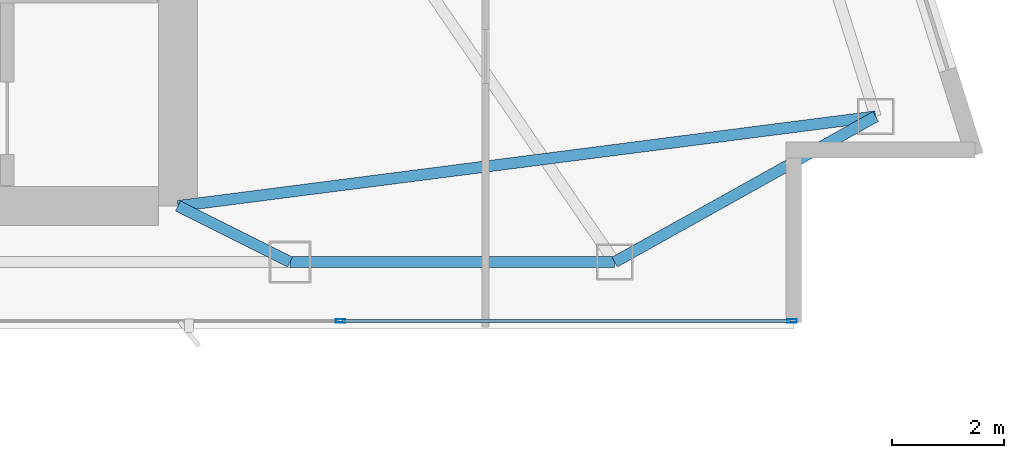
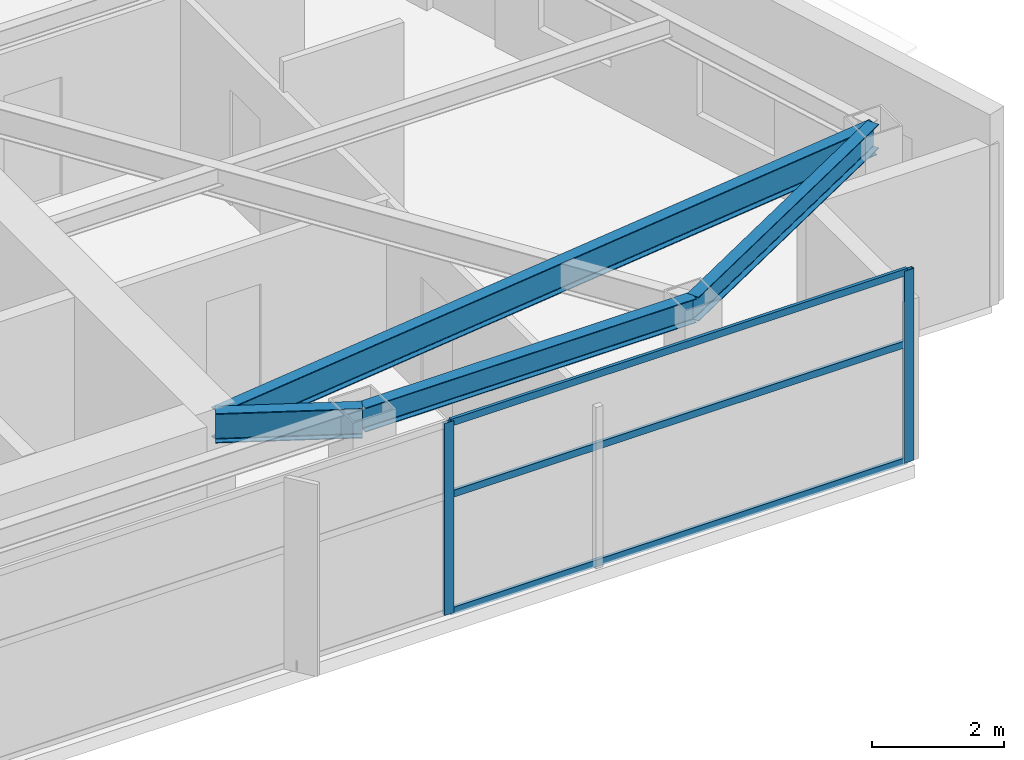
# One storey, part 14 of 29: 5 members, 4 beams, 1 element without a shape of its own.
"""IFC4 building model written with IfcOpenShell, lengths in metres."""

from ifc_helpers import new_model, si_unit, direction, frame, origin, origin_2d, place, context, subcontext, project, spatial, hollow_rectangle, i_section, extrude, material, layer, layer_set, material_profile, profile_set, type_object, element, aggregate, save


model = new_model("IFC4")

# Units and contexts
model_context = context("Model", 3, precision=1e-05, world=origin(), true_north=direction((0.0, 1.0)))
body_context = subcontext(model_context, "Body", "Model", "MODEL_VIEW")
ifc_project = project(units=[si_unit("LENGTHUNIT", "METRE"), si_unit("AREAUNIT", "SQUARE_METRE"), si_unit("VOLUMEUNIT", "CUBIC_METRE"), si_unit("PLANEANGLEUNIT", "RADIAN"), si_unit("MASSUNIT", "GRAM", prefix="KILO")], contexts=[model_context])

# Site, building, storey
site_placement = place(None, origin())
site = spatial("IfcSite", under=ifc_project, at=site_placement, CompositionType="ELEMENT")
building_placement = place(site_placement, origin())
building = spatial("IfcBuilding", under=site, at=building_placement, Name="Calvorn Quay Hotel", CompositionType="ELEMENT")
storey_placement = place(building_placement, frame((0.0, 0.0, 251.39990234375)))
storey = spatial("IfcBuildingStorey", under=building, at=storey_placement, Name="L62", CompositionType="ELEMENT", Elevation=251.39990234375)

# Beams
ifc_material_1 = material(Name="Steel Q355B", Category="steel")
ifc_material_profile_1 = material_profile(ifc_material_1, i_section(OverallWidth=0.199951171875, OverallDepth=0.550048828125, WebThickness=0.010009765625, FlangeThickness=0.01611328125, FilletRadius=0.01806640625, at=origin_2d()), Name="HN550x200x10x16")
ifc_profile_set_1 = profile_set([ifc_material_profile_1], Name="Steel Q355B")
beam_type_1 = type_object("IfcBeamType", Name="BM-GIRD-UPP", PredefinedType="BEAM", material=ifc_profile_set_1)
beam_1_placement = place(storey_placement, frame((34.39990234375, 3.60009765625, 3.26513671875), z_axis=(-0.894427191, 0.4472135955, 0.0), x_axis=(-0.4472135955, -0.894427191, 0.0)))
element("IfcBeam", 1, at=beam_1_placement, inside=storey, type_object=beam_type_1, Name="Beam BG-L62-S3", PredefinedType="BEAM", context=body_context, shape_type="SweptSolid", body=[
    extrude(i_section(OverallWidth=0.199951171875, OverallDepth=0.550048828125, WebThickness=0.010009765625, FlangeThickness=0.01611328125, FilletRadius=0.01806640625, at=origin_2d()), origin(), (0.0, 0.0, 1.0), 2.236083984375),
])
beam_2_placement = place(storey_placement, frame((32.39990234375, 4.60009765625, 3.26513671875), z_axis=(0.991858897847, 0.12734177147, 0.0), x_axis=(-0.12734177147, 0.991858897847, 0.0)))
element("IfcBeam", 2, at=beam_2_placement, inside=storey, type_object=beam_type_1, Name="Beam BG-L62-E1", PredefinedType="BEAM", context=body_context, shape_type="SweptSolid", body=[
    extrude(i_section(OverallWidth=0.199951171875, OverallDepth=0.550048828125, WebThickness=0.010009765625, FlangeThickness=0.01611328125, FilletRadius=0.01806640625, at=origin_2d()), origin(), (0.0, 0.0, 1.0), 12.5634765625),
])
ifc_material_2 = material(Name="Steel Q355B", Category="steel")
ifc_material_profile_2 = material_profile(ifc_material_2, i_section(OverallWidth=0.199951171875, OverallDepth=0.449951171875, WebThickness=0.009033203125, FlangeThickness=0.013916015625, FilletRadius=0.01611328125, at=origin_2d()), Name="HN450x200x9x14")
ifc_profile_set_2 = profile_set([ifc_material_profile_2], Name="Steel Q355B")
beam_type_2 = type_object("IfcBeamType", Name="BM-SPANDREL-Z3", PredefinedType="SPANDREL", material=ifc_profile_set_2)
beam_3_placement = place(storey_placement, frame((34.39990234375, 3.60009765625, 3.315185546875), z_axis=(1.0, 0.0, 0.0), x_axis=(0.0, 1.0, 0.0)))
element("IfcBeam", 3, at=beam_3_placement, inside=storey, type_object=beam_type_2, Name="Beam BSP-L62-S4", PredefinedType="SPANDREL", context=body_context, shape_type="SweptSolid", body=[
    extrude(i_section(OverallWidth=0.199951171875, OverallDepth=0.449951171875, WebThickness=0.009033203125, FlangeThickness=0.013916015625, FilletRadius=0.01611328125, at=origin_2d()), origin(), (0.0, 0.0, 1.0), 5.800048828125),
])
beam_4_placement = place(storey_placement, frame((40.199951171875, 3.60009765625, 3.315185546875), z_axis=(0.873333936204, 0.487121992805, 0.0), x_axis=(-0.487121992805, 0.873333936204, 0.0)))
element("IfcBeam", 4, at=beam_4_placement, inside=storey, type_object=beam_type_2, Name="Beam BSP-L62-S5", PredefinedType="SPANDREL", context=body_context, shape_type="SweptSolid", body=[
    extrude(i_section(OverallWidth=0.199951171875, OverallDepth=0.449951171875, WebThickness=0.009033203125, FlangeThickness=0.013916015625, FilletRadius=0.01611328125, at=origin_2d()), origin(), (0.0, 0.0, 1.0), 5.337158203125),
])

# Curtain wall, members
ifc_material_3 = material(Name="Champagne Bronze Anodised Aluminium and Low-E Glass", Category="aluminium")
ifc_layer = layer(ifc_material_3, 0.219970703125)
ifc_layer_set = layer_set([ifc_layer], Name="CW-SYS-Z4")
curtain_wall_type = type_object("IfcCurtainWallType", Name="CW-SYS-Z4", PredefinedType="NOTDEFINED", material=ifc_layer_set)
curtain_wall_placement = place(storey_placement, origin())
curtain_wall = element("IfcCurtainWall", 5, at=curtain_wall_placement, inside=storey, type_object=curtain_wall_type, Name="Tower South Waterfront Curtain Wall (L62)", PredefinedType="NOTDEFINED")
ifc_material_4 = material(Name="Champagne Bronze Anodised Aluminium 6063-T6", Category="aluminium")
ifc_material_profile_3 = material_profile(ifc_material_4, hollow_rectangle(XDim=0.06494140625, YDim=0.169921875, WallThickness=0.00341796875, at=origin_2d()), Name="ALU-M170x65x3.5")
ifc_profile_set_3 = profile_set([ifc_material_profile_3], Name="Champagne Bronze Anodised Aluminium 6063-T6")
member_type_1 = type_object("IfcMemberType", Name="CW-SYS-Z4-MUL", PredefinedType="MULLION", material=ifc_profile_set_3)
member_1_placement = place(storey_placement, frame((35.300048828125, 2.550048828125, 0.0), z_axis=(0.0, 0.0, 1.0), x_axis=(0.0, 1.0, 0.0)))
member_1 = element("IfcMember", 6, at=member_1_placement, type_object=member_type_1, Name="CW-L62-S mullion 4", PredefinedType="MULLION", context=body_context, shape_type="SweptSolid", body=[
    extrude(hollow_rectangle(XDim=0.06494140625, YDim=0.169921875, WallThickness=0.00341796875, at=origin_2d()), origin(), (0.0, 0.0, 1.0), 3.56005859375),
])
member_2_placement = place(storey_placement, frame((43.3701171875, 2.550048828125, 0.0), z_axis=(0.0, 0.0, 1.0), x_axis=(0.0, 1.0, 0.0)))
member_2 = element("IfcMember", 7, at=member_2_placement, type_object=member_type_1, Name="CW-L62-S mullion 5", PredefinedType="MULLION", context=body_context, shape_type="SweptSolid", body=[
    extrude(hollow_rectangle(XDim=0.06494140625, YDim=0.169921875, WallThickness=0.00341796875, at=origin_2d()), origin(), (0.0, 0.0, 1.0), 3.56005859375),
])
ifc_material_5 = material(Name="Champagne Bronze Anodised Aluminium 6063-T6", Category="aluminium")
ifc_material_profile_4 = material_profile(ifc_material_5, hollow_rectangle(XDim=0.054931640625, YDim=0.1298828125, WallThickness=0.003173828125, at=origin_2d()), Name="ALU-T130x55x3.2")
ifc_profile_set_4 = profile_set([ifc_material_profile_4], Name="Champagne Bronze Anodised Aluminium 6063-T6")
member_type_2 = type_object("IfcMemberType", Name="CW-SYS-Z4-TRN", PredefinedType="USERDEFINED", material=ifc_profile_set_4)
member_3_placement = place(storey_placement, frame((35.330078125, 2.550048828125, 0.030029296875), z_axis=(1.0, 0.0, 0.0), x_axis=(0.0, 1.0, 0.0)))
member_3 = element("IfcMember", 8, at=member_3_placement, type_object=member_type_2, Name="CW-L62-S transom 4.1", ObjectType="TRANSOM", PredefinedType="USERDEFINED", context=body_context, shape_type="SweptSolid", body=[
    extrude(hollow_rectangle(XDim=0.054931640625, YDim=0.1298828125, WallThickness=0.003173828125, at=origin_2d()), origin(), (0.0, 0.0, 1.0), 8.010009765625),
])
member_4_placement = place(storey_placement, frame((35.330078125, 2.550048828125, 2.2001953125), z_axis=(1.0, 0.0, 0.0), x_axis=(0.0, 1.0, 0.0)))
member_4 = element("IfcMember", 9, at=member_4_placement, type_object=member_type_2, Name="CW-L62-S transom 4.2", ObjectType="TRANSOM", PredefinedType="USERDEFINED", context=body_context, shape_type="SweptSolid", body=[
    extrude(hollow_rectangle(XDim=0.054931640625, YDim=0.1298828125, WallThickness=0.003173828125, at=origin_2d()), origin(), (0.0, 0.0, 1.0), 8.010009765625),
])
member_5_placement = place(storey_placement, frame((35.330078125, 2.550048828125, 3.530029296875), z_axis=(1.0, 0.0, 0.0), x_axis=(0.0, 1.0, 0.0)))
member_5 = element("IfcMember", 10, at=member_5_placement, type_object=member_type_2, Name="CW-L62-S transom 4.3", ObjectType="TRANSOM", PredefinedType="USERDEFINED", context=body_context, shape_type="SweptSolid", body=[
    extrude(hollow_rectangle(XDim=0.054931640625, YDim=0.1298828125, WallThickness=0.003173828125, at=origin_2d()), origin(), (0.0, 0.0, 1.0), 8.010009765625),
])
aggregate(curtain_wall, [member_1, member_2, member_3, member_4, member_5])

save(model, "model.ifc")
